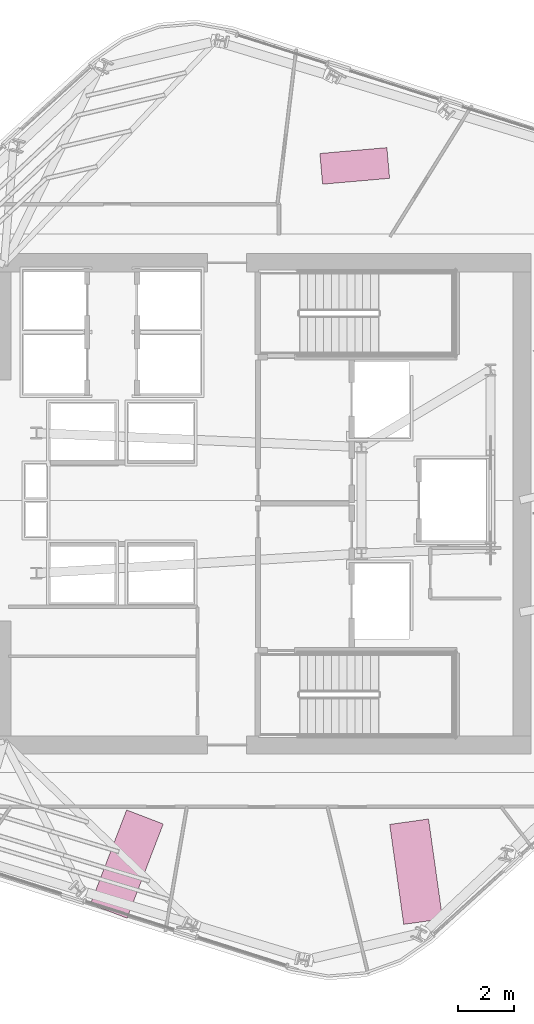
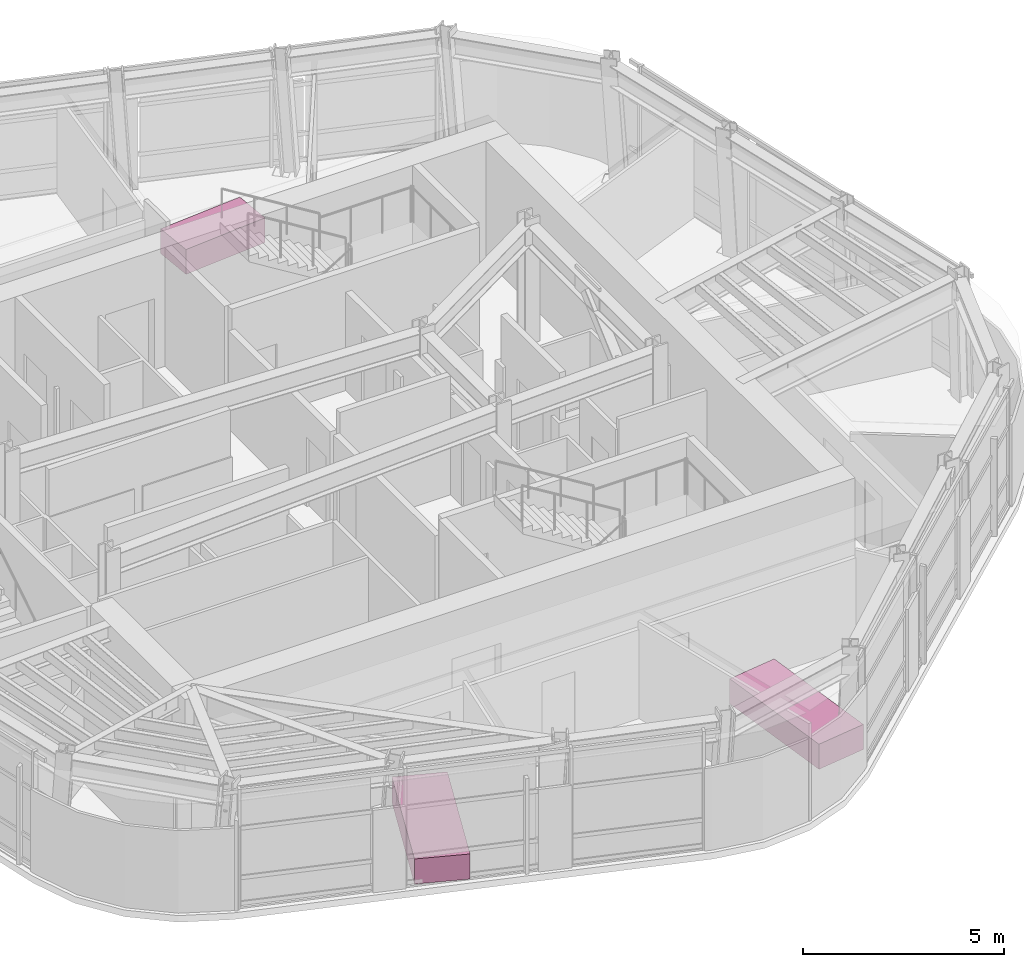
# One storey, part 15 of 15: 3 furniture elements.
"""IFC4 building model written with IfcOpenShell, lengths in metres."""

from ifc_helpers import new_model, si_unit, direction, frame, origin, origin_2d, place, context, subcontext, project, spatial, rectangle, extrude, material, type_object, element, save


model = new_model("IFC4")

# Units and contexts
model_context = context("Model", 3, precision=1e-05, world=origin(), true_north=direction((0.0, 1.0)))
body_context = subcontext(model_context, "Body", "Model", "MODEL_VIEW")
ifc_project = project(units=[si_unit("LENGTHUNIT", "METRE"), si_unit("AREAUNIT", "SQUARE_METRE"), si_unit("VOLUMEUNIT", "CUBIC_METRE"), si_unit("PLANEANGLEUNIT", "RADIAN"), si_unit("MASSUNIT", "GRAM", prefix="KILO")], contexts=[model_context])

# Site, building, storey
site_placement = place(None, origin())
site = spatial("IfcSite", under=ifc_project, at=site_placement, CompositionType="ELEMENT")
building_placement = place(site_placement, origin())
building = spatial("IfcBuilding", under=site, at=building_placement, Name="Valkerne Bourse Tower", CompositionType="ELEMENT")
storey_placement = place(building_placement, frame((0.0, 0.0, 205.60009765625)))
storey = spatial("IfcBuildingStorey", under=building, at=storey_placement, Name="L52", CompositionType="ELEMENT", Elevation=205.60009765625)

# Furniture
ifc_material = material(Name="Architectural White Oak Timber", Category="wood")
furniture_type_1 = type_object("IfcFurnitureType", Name="FURN-CONF-3600", AssemblyPlace="NOTDEFINED", PredefinedType="TABLE", material=ifc_material)
for number, where, z_axis, x_axis, name in (
    (1, (41.97802734375, 14.02490234375, 0.044921875), (0.0, 0.0, 1.0), (0.358367949545, 0.933580426497, 0.0), "L52 Suite Worktable 05"),
    (2, (52.297119140625, 13.75390625, 0.044921875), (0.0, 0.0, 1.0), (-0.13917310096, 0.990268068742, 0.0), "L52 Suite Worktable 06"),
):
    element("IfcFurniture", number, at=place(storey_placement, frame(where, z_axis=z_axis, x_axis=x_axis)), inside=storey, type_object=furniture_type_1, Name=name, PredefinedType="TABLE", context=body_context, shape_type="SweptSolid", body=[
        extrude(rectangle(XDim=3.60009765625, YDim=1.39990234375, at=origin_2d()), origin(), (0.0, 0.0, 1.0), 0.760009765625),
    ])
furniture_type_2 = type_object("IfcFurnitureType", Name="FURN-DESK-2400", AssemblyPlace="NOTDEFINED", PredefinedType="DESK", material=ifc_material)
furniture_placement = place(storey_placement, frame((50.10693359375, 38.927978515625, 0.044921875), z_axis=(0.0, 0.0, 1.0), x_axis=(0.996194698092, 0.087155742748, 0.0)))
element("IfcFurniture", 3, at=furniture_placement, inside=storey, type_object=furniture_type_2, Name="L52 Suite Worktable 09", PredefinedType="DESK", context=body_context, shape_type="SweptSolid", body=[
    extrude(rectangle(XDim=2.39990234375, YDim=1.10009765625, at=origin_2d()), origin(), (0.0, 0.0, 1.0), 0.75),
])

save(model, "model.ifc")
